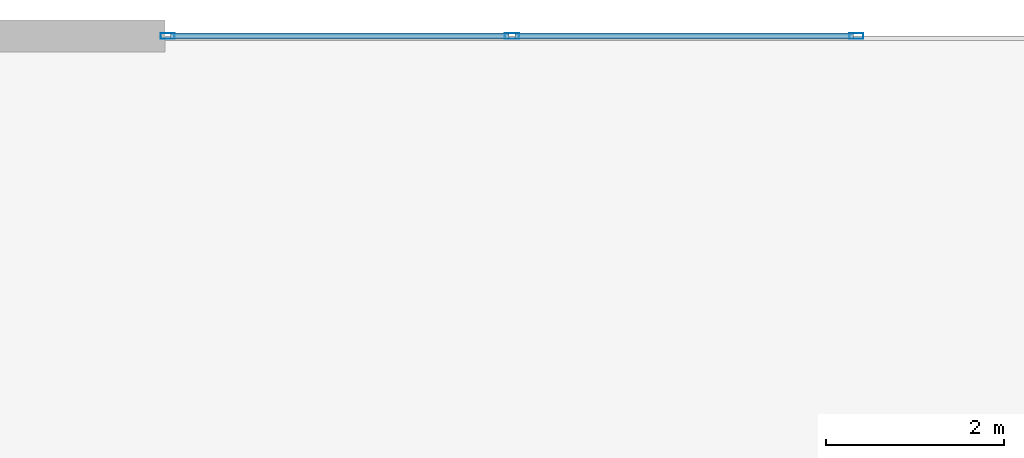
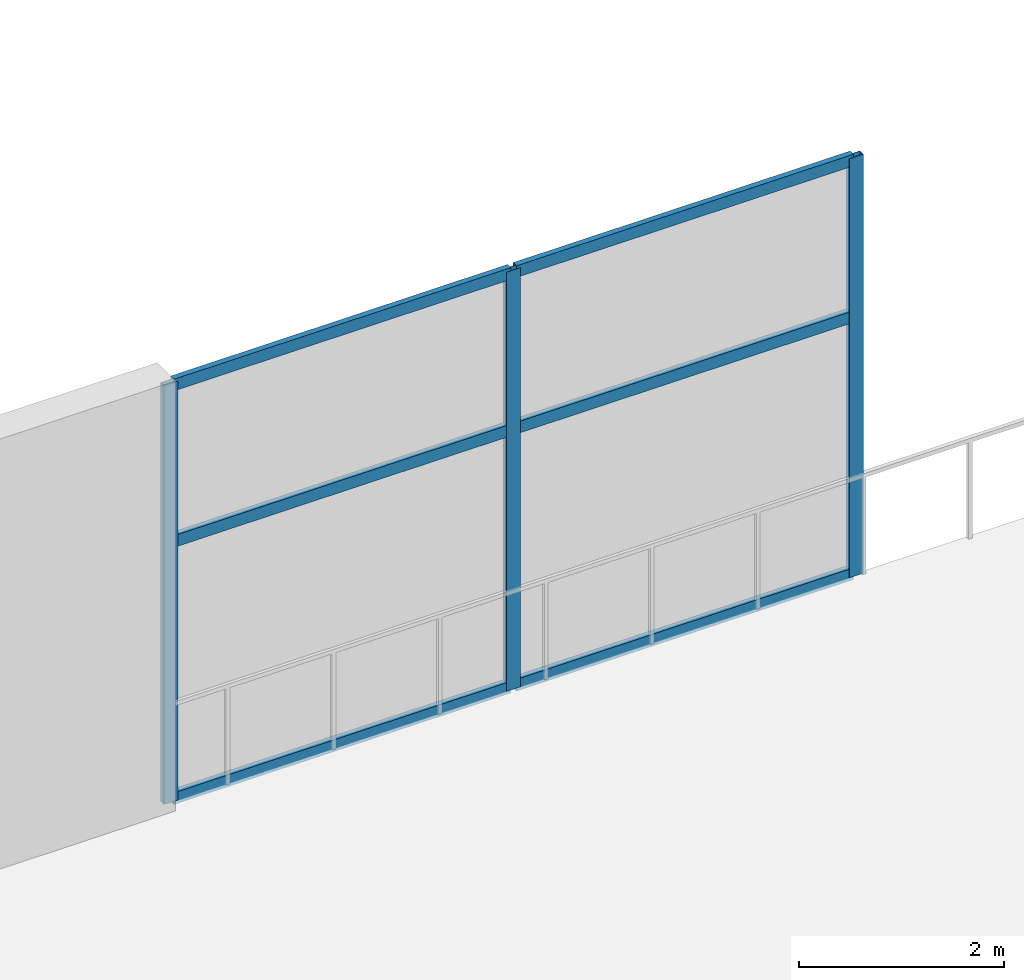
# One storey, part 13 of 29: 9 members, 1 element without a shape of its own.
"""IFC4 building model written with IfcOpenShell, lengths in metres."""

from ifc_helpers import new_model, si_unit, direction, frame, origin, origin_2d, place, context, subcontext, project, spatial, hollow_rectangle, extrude, material, layer, layer_set, material_profile, profile_set, type_object, element, aggregate, save


model = new_model("IFC4")

# Units and contexts
model_context = context("Model", 3, precision=1e-05, world=origin(), true_north=direction((0.0, 1.0)))
body_context = subcontext(model_context, "Body", "Model", "MODEL_VIEW")
ifc_project = project(units=[si_unit("LENGTHUNIT", "METRE"), si_unit("AREAUNIT", "SQUARE_METRE"), si_unit("VOLUMEUNIT", "CUBIC_METRE"), si_unit("PLANEANGLEUNIT", "RADIAN"), si_unit("MASSUNIT", "GRAM", prefix="KILO")], contexts=[model_context])

# Site, building, storey
site_placement = place(None, origin())
site = spatial("IfcSite", under=ifc_project, at=site_placement, CompositionType="ELEMENT")
building_placement = place(site_placement, origin())
building = spatial("IfcBuilding", under=site, at=building_placement, Name="Haevon Station Towers", CompositionType="ELEMENT")
storey_placement = place(building_placement, frame((0.0, 0.0, 25.199951171875)))
storey = spatial("IfcBuildingStorey", under=building, at=storey_placement, Name="L05", CompositionType="ELEMENT", Elevation=25.199951171875)

# Curtain wall, members
ifc_material_1 = material(Name="Anodised aluminium and Low-E double glazing", Category="aluminium")
ifc_layer = layer(ifc_material_1, 0.179931640625)
ifc_layer_set = layer_set([ifc_layer], Name="Anodised aluminium and Low-E double glazing")
curtain_wall_type = type_object("IfcCurtainWallType", Name="CW-SYS3", PredefinedType="NOTDEFINED", material=ifc_layer_set)
curtain_wall_placement = place(storey_placement, origin())
curtain_wall = element("IfcCurtainWall", 1, at=curtain_wall_placement, inside=storey, type_object=curtain_wall_type, Name="L05 Curtain Wall CW-POD-L05-N3", PredefinedType="NOTDEFINED")
ifc_material_2 = material(Name="Anodised aluminium 6063-T6", Category="aluminium")
ifc_material_profile_1 = material_profile(ifc_material_2, hollow_rectangle(XDim=0.06494140625, YDim=0.159912109375, WallThickness=0.00390625, at=origin_2d()), Name="CWM-160x65x4")
ifc_profile_set_1 = profile_set([ifc_material_profile_1], Name="Anodised aluminium 6063-T6")
member_type_1 = type_object("IfcMemberType", Name="CWM-160", PredefinedType="MULLION", material=ifc_profile_set_1)
member_1_placement = place(storey_placement, frame((88.032470703125, 56.199951171875, 0.0), z_axis=(0.0, 0.0, 1.0), x_axis=(0.0, 1.0, 0.0)))
member_1 = element("IfcMember", 2, at=member_1_placement, type_object=member_type_1, Name="CW-SYS3 mullion 1", PredefinedType="MULLION", context=body_context, shape_type="SweptSolid", body=[
    extrude(hollow_rectangle(XDim=0.06494140625, YDim=0.159912109375, WallThickness=0.00390625, at=origin_2d()), origin(), (0.0, 0.0, 1.0), 5.0),
])
member_2_placement = place(storey_placement, frame((91.89990234375, 56.199951171875, 0.0), z_axis=(0.0, 0.0, 1.0), x_axis=(0.0, 1.0, 0.0)))
member_2 = element("IfcMember", 3, at=member_2_placement, type_object=member_type_1, Name="CW-SYS3 mullion 2", PredefinedType="MULLION", context=body_context, shape_type="SweptSolid", body=[
    extrude(hollow_rectangle(XDim=0.06494140625, YDim=0.159912109375, WallThickness=0.00390625, at=origin_2d()), origin(), (0.0, 0.0, 1.0), 5.0),
])
member_3_placement = place(storey_placement, frame((95.767578125, 56.199951171875, 0.0), z_axis=(0.0, 0.0, 1.0), x_axis=(0.0, 1.0, 0.0)))
member_3 = element("IfcMember", 4, at=member_3_placement, type_object=member_type_1, Name="CW-SYS3 mullion 3", PredefinedType="MULLION", context=body_context, shape_type="SweptSolid", body=[
    extrude(hollow_rectangle(XDim=0.06494140625, YDim=0.159912109375, WallThickness=0.00390625, at=origin_2d()), origin(), (0.0, 0.0, 1.0), 5.0),
])
ifc_material_profile_2 = material_profile(ifc_material_2, hollow_rectangle(XDim=0.06494140625, YDim=0.139892578125, WallThickness=0.00341796875, at=origin_2d()), Name="CWT-140x65x3.5")
ifc_profile_set_2 = profile_set([ifc_material_profile_2], Name="Anodised aluminium 6063-T6")
member_type_2 = type_object("IfcMemberType", Name="CWT-140", PredefinedType="USERDEFINED", material=ifc_profile_set_2)
member_4_placement = place(storey_placement, frame((88.06494140625, 56.199951171875, 0.032470703125), z_axis=(1.0, 0.0, 0.0), x_axis=(0.0, 1.0, 0.0)))
member_4 = element("IfcMember", 5, at=member_4_placement, type_object=member_type_2, Name="CW-SYS3 transom 1.1", ObjectType="TRANSOM", PredefinedType="USERDEFINED", context=body_context, shape_type="SweptSolid", body=[
    extrude(hollow_rectangle(XDim=0.06494140625, YDim=0.139892578125, WallThickness=0.00341796875, at=origin_2d()), origin(), (0.0, 0.0, 1.0), 3.802490234375),
])
member_5_placement = place(storey_placement, frame((88.06494140625, 56.199951171875, 3.10009765625), z_axis=(1.0, 0.0, 0.0), x_axis=(0.0, 1.0, 0.0)))
member_5 = element("IfcMember", 6, at=member_5_placement, type_object=member_type_2, Name="CW-SYS3 transom 1.2", ObjectType="TRANSOM", PredefinedType="USERDEFINED", context=body_context, shape_type="SweptSolid", body=[
    extrude(hollow_rectangle(XDim=0.06494140625, YDim=0.139892578125, WallThickness=0.00341796875, at=origin_2d()), origin(), (0.0, 0.0, 1.0), 3.802490234375),
])
member_6_placement = place(storey_placement, frame((88.06494140625, 56.199951171875, 4.967529296875), z_axis=(1.0, 0.0, 0.0), x_axis=(0.0, 1.0, 0.0)))
member_6 = element("IfcMember", 7, at=member_6_placement, type_object=member_type_2, Name="CW-SYS3 transom 1.3", ObjectType="TRANSOM", PredefinedType="USERDEFINED", context=body_context, shape_type="SweptSolid", body=[
    extrude(hollow_rectangle(XDim=0.06494140625, YDim=0.139892578125, WallThickness=0.00341796875, at=origin_2d()), origin(), (0.0, 0.0, 1.0), 3.802490234375),
])
member_7_placement = place(storey_placement, frame((91.9326171875, 56.199951171875, 0.032470703125), z_axis=(1.0, 0.0, 0.0), x_axis=(0.0, 1.0, 0.0)))
member_7 = element("IfcMember", 8, at=member_7_placement, type_object=member_type_2, Name="CW-SYS3 transom 2.1", ObjectType="TRANSOM", PredefinedType="USERDEFINED", context=body_context, shape_type="SweptSolid", body=[
    extrude(hollow_rectangle(XDim=0.06494140625, YDim=0.139892578125, WallThickness=0.00341796875, at=origin_2d()), origin(), (0.0, 0.0, 1.0), 3.802490234375),
])
member_8_placement = place(storey_placement, frame((91.9326171875, 56.199951171875, 3.10009765625), z_axis=(1.0, 0.0, 0.0), x_axis=(0.0, 1.0, 0.0)))
member_8 = element("IfcMember", 9, at=member_8_placement, type_object=member_type_2, Name="CW-SYS3 transom 2.2", ObjectType="TRANSOM", PredefinedType="USERDEFINED", context=body_context, shape_type="SweptSolid", body=[
    extrude(hollow_rectangle(XDim=0.06494140625, YDim=0.139892578125, WallThickness=0.00341796875, at=origin_2d()), origin(), (0.0, 0.0, 1.0), 3.802490234375),
])
member_9_placement = place(storey_placement, frame((91.9326171875, 56.199951171875, 4.967529296875), z_axis=(1.0, 0.0, 0.0), x_axis=(0.0, 1.0, 0.0)))
member_9 = element("IfcMember", 10, at=member_9_placement, type_object=member_type_2, Name="CW-SYS3 transom 2.3", ObjectType="TRANSOM", PredefinedType="USERDEFINED", context=body_context, shape_type="SweptSolid", body=[
    extrude(hollow_rectangle(XDim=0.06494140625, YDim=0.139892578125, WallThickness=0.00341796875, at=origin_2d()), origin(), (0.0, 0.0, 1.0), 3.802490234375),
])
aggregate(curtain_wall, [member_1, member_2, member_3, member_4, member_5, member_6, member_7, member_8, member_9])

save(model, "model.ifc")
